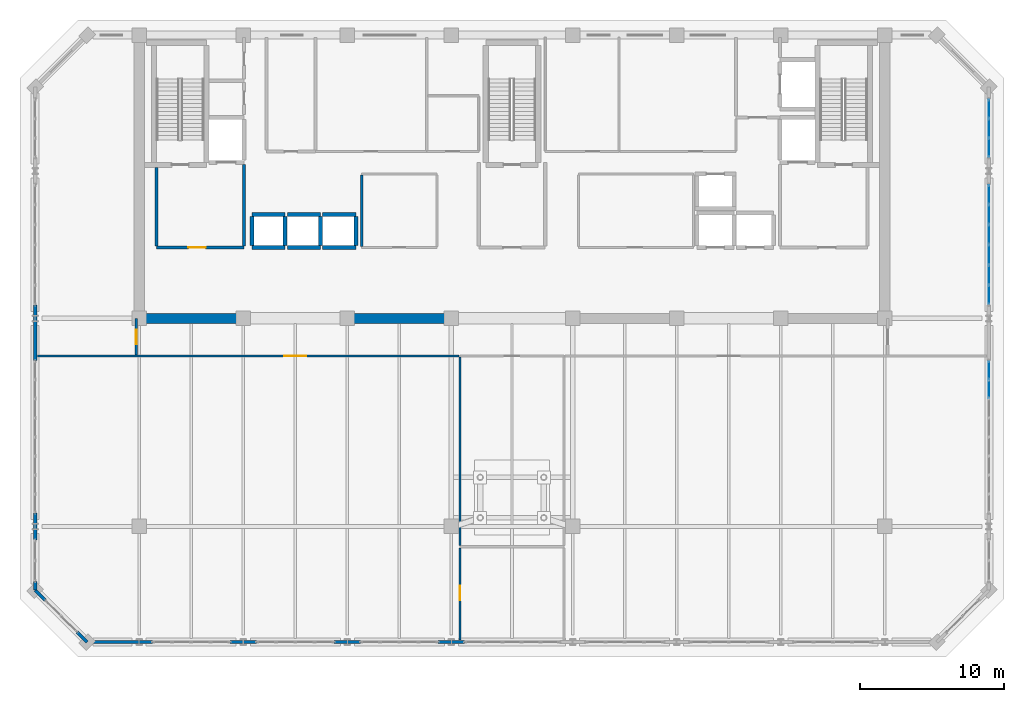
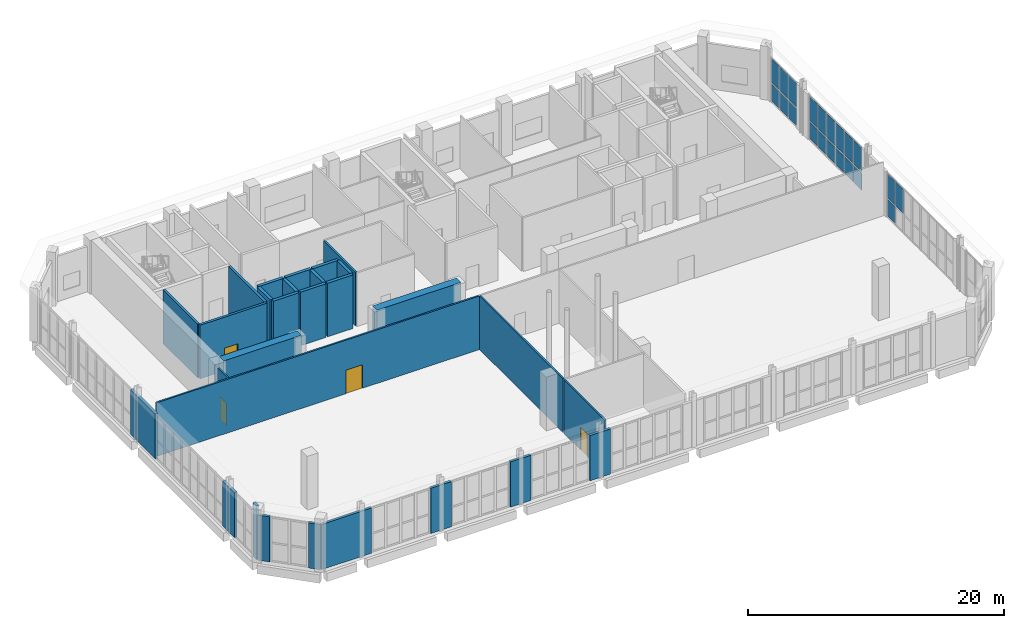
# One storey, part 19 of 26: 29 walls, 21 plates, 4 doors, 4 openings, 3 elements without a shape of their own.
"""IFC4 building model written with IfcOpenShell, lengths in metres."""

from ifc_helpers import new_model, si_unit, direction, frame, frame_2d, origin, origin_2d, place, context, subcontext, project, spatial, rectangle, extrude, material, layer, layer_set, type_object, element, fill, aggregate, save


model = new_model("IFC4")

# Units and contexts
model_context = context("Model", 3, precision=1e-05, world=origin(), true_north=direction((0.0, 1.0)))
body_context = subcontext(model_context, "Body", "Model", "MODEL_VIEW")
ifc_project = project(units=[si_unit("LENGTHUNIT", "METRE"), si_unit("AREAUNIT", "SQUARE_METRE"), si_unit("VOLUMEUNIT", "CUBIC_METRE"), si_unit("PLANEANGLEUNIT", "RADIAN"), si_unit("MASSUNIT", "GRAM", prefix="KILO")], contexts=[model_context])

# Site, building, storey
site_placement = place(None, origin())
site = spatial("IfcSite", under=ifc_project, at=site_placement, CompositionType="ELEMENT")
building_placement = place(site_placement, origin())
building = spatial("IfcBuilding", under=site, at=building_placement, Name="Kaelvorn Grand Hotel", CompositionType="ELEMENT")
storey_placement = place(building_placement, frame((0.0, 0.0, 294.699951171875)))
storey = spatial("IfcBuildingStorey", under=building, at=storey_placement, Name="L72", CompositionType="ELEMENT", Elevation=294.699951171875)

# Curtain wall, plates
ifc_material_1 = material(Name="Anodised Aluminium", Category="aluminium")
ifc_layer_1 = layer(ifc_material_1, 0.239990234375)
ifc_layer_set_1 = layer_set([ifc_layer_1], Name="Anodised Aluminium")
curtain_wall_type = type_object("IfcCurtainWallType", Name="CW-SYS5", PredefinedType="NOTDEFINED", material=ifc_layer_set_1)
curtain_wall_1_placement = place(storey_placement, origin())
curtain_wall_1 = element("IfcCurtainWall", 1, at=curtain_wall_1_placement, inside=storey, type_object=curtain_wall_type, Name="L72 Unitised Curtain Wall CW5 (CW-L72-E-02)", PredefinedType="NOTDEFINED")
ifc_material_2 = material(Name="Laminated Low-E Glass", Category="glass")
ifc_layer_2 = layer(ifc_material_2, 0.0380859375)
ifc_layer_set_2 = layer_set([ifc_layer_2], Name="Laminated Low-E Glass")
plate_type = type_object("IfcPlateType", Name="CW-SYS5-PAN", PredefinedType="CURTAIN_PANEL", material=ifc_layer_set_2)
plate_1_placement = place(storey_placement, frame((75.0, 24.5, 1.8896484375), z_axis=(0.0, 0.0, 1.0), x_axis=(0.0, 1.0, 0.0)))
plate_1 = element("IfcPlate", 2, at=plate_1_placement, type_object=plate_type, Name="CW5 panel 7.2", PredefinedType="CURTAIN_PANEL", context=body_context, shape_type="SweptSolid", body=[
    extrude(rectangle(XDim=1.239990234375, YDim=0.0380859375, at=origin_2d()), origin(), (0.0, 0.0, 1.0), 2.280517578125),
])
plate_2_placement = place(storey_placement, frame((75.0, 25.800048828125, 0.150146484375), z_axis=(0.0, 0.0, 1.0), x_axis=(0.0, 1.0, 0.0)))
plate_2 = element("IfcPlate", 3, at=plate_2_placement, type_object=plate_type, Name="CW5 panel 8.1", PredefinedType="CURTAIN_PANEL", context=body_context, shape_type="SweptSolid", body=[
    extrude(rectangle(XDim=1.199951171875, YDim=0.0380859375, at=origin_2d()), origin(), (0.0, 0.0, 1.0), 1.58935546875),
])
plate_3_placement = place(storey_placement, frame((75.0, 25.800048828125, 1.8896484375), z_axis=(0.0, 0.0, 1.0), x_axis=(0.0, 1.0, 0.0)))
plate_3 = element("IfcPlate", 4, at=plate_3_placement, type_object=plate_type, Name="CW5 panel 8.2", PredefinedType="CURTAIN_PANEL", context=body_context, shape_type="SweptSolid", body=[
    extrude(rectangle(XDim=1.199951171875, YDim=0.0380859375, at=origin_2d()), origin(), (0.0, 0.0, 1.0), 2.280517578125),
])
aggregate(curtain_wall_1, [plate_1, plate_2, plate_3])

curtain_wall_2_placement = place(storey_placement, origin())
curtain_wall_2 = element("IfcCurtainWall", 5, at=curtain_wall_2_placement, inside=storey, type_object=curtain_wall_type, Name="L72 Unitised Curtain Wall CW5 (CW-L72-E-03)", PredefinedType="NOTDEFINED")
plate_4_placement = place(storey_placement, frame((75.0, 31.03662109375, 0.150146484375), z_axis=(0.0, 0.0, 1.0), x_axis=(0.0, 1.0, 0.0)))
plate_4 = element("IfcPlate", 6, at=plate_4_placement, type_object=plate_type, Name="CW5 panel 1.1", PredefinedType="CURTAIN_PANEL", context=body_context, shape_type="SweptSolid", body=[
    extrude(rectangle(XDim=1.2734375, YDim=0.0380859375, at=origin_2d()), origin(), (0.0, 0.0, 1.0), 1.58935546875),
])
plate_5_placement = place(storey_placement, frame((75.0, 31.03662109375, 1.8896484375), z_axis=(0.0, 0.0, 1.0), x_axis=(0.0, 1.0, 0.0)))
plate_5 = element("IfcPlate", 7, at=plate_5_placement, type_object=plate_type, Name="CW5 panel 1.2", PredefinedType="CURTAIN_PANEL", context=body_context, shape_type="SweptSolid", body=[
    extrude(rectangle(XDim=1.2734375, YDim=0.0380859375, at=origin_2d()), origin(), (0.0, 0.0, 1.0), 2.280517578125),
])
plate_6_placement = place(storey_placement, frame((75.0, 32.409912109375, 0.150146484375), z_axis=(0.0, 0.0, 1.0), x_axis=(0.0, 1.0, 0.0)))
plate_6 = element("IfcPlate", 8, at=plate_6_placement, type_object=plate_type, Name="CW5 panel 2.1", PredefinedType="CURTAIN_PANEL", context=body_context, shape_type="SweptSolid", body=[
    extrude(rectangle(XDim=1.313232421875, YDim=0.0380859375, at=origin_2d()), origin(), (0.0, 0.0, 1.0), 1.58935546875),
])
plate_7_placement = place(storey_placement, frame((75.0, 32.409912109375, 1.8896484375), z_axis=(0.0, 0.0, 1.0), x_axis=(0.0, 1.0, 0.0)))
plate_7 = element("IfcPlate", 9, at=plate_7_placement, type_object=plate_type, Name="CW5 panel 2.2", PredefinedType="CURTAIN_PANEL", context=body_context, shape_type="SweptSolid", body=[
    extrude(rectangle(XDim=1.313232421875, YDim=0.0380859375, at=origin_2d()), origin(), (0.0, 0.0, 1.0), 2.280517578125),
])
plate_8_placement = place(storey_placement, frame((75.0, 33.80322265625, 0.150146484375), z_axis=(0.0, 0.0, 1.0), x_axis=(0.0, 1.0, 0.0)))
plate_8 = element("IfcPlate", 10, at=plate_8_placement, type_object=plate_type, Name="CW5 panel 3.1", PredefinedType="CURTAIN_PANEL", context=body_context, shape_type="SweptSolid", body=[
    extrude(rectangle(XDim=1.313232421875, YDim=0.0380859375, at=origin_2d()), origin(), (0.0, 0.0, 1.0), 1.58935546875),
])
plate_9_placement = place(storey_placement, frame((75.0, 33.80322265625, 1.8896484375), z_axis=(0.0, 0.0, 1.0), x_axis=(0.0, 1.0, 0.0)))
plate_9 = element("IfcPlate", 11, at=plate_9_placement, type_object=plate_type, Name="CW5 panel 3.2", PredefinedType="CURTAIN_PANEL", context=body_context, shape_type="SweptSolid", body=[
    extrude(rectangle(XDim=1.313232421875, YDim=0.0380859375, at=origin_2d()), origin(), (0.0, 0.0, 1.0), 2.280517578125),
])
plate_10_placement = place(storey_placement, frame((75.0, 35.19677734375, 0.150146484375), z_axis=(0.0, 0.0, 1.0), x_axis=(0.0, 1.0, 0.0)))
plate_10 = element("IfcPlate", 12, at=plate_10_placement, type_object=plate_type, Name="CW5 panel 4.1", PredefinedType="CURTAIN_PANEL", context=body_context, shape_type="SweptSolid", body=[
    extrude(rectangle(XDim=1.313232421875, YDim=0.0380859375, at=origin_2d()), origin(), (0.0, 0.0, 1.0), 1.58935546875),
])
plate_11_placement = place(storey_placement, frame((75.0, 35.19677734375, 1.8896484375), z_axis=(0.0, 0.0, 1.0), x_axis=(0.0, 1.0, 0.0)))
plate_11 = element("IfcPlate", 13, at=plate_11_placement, type_object=plate_type, Name="CW5 panel 4.2", PredefinedType="CURTAIN_PANEL", context=body_context, shape_type="SweptSolid", body=[
    extrude(rectangle(XDim=1.313232421875, YDim=0.0380859375, at=origin_2d()), origin(), (0.0, 0.0, 1.0), 2.280517578125),
])
plate_12_placement = place(storey_placement, frame((75.0, 36.590087890625, 0.150146484375), z_axis=(0.0, 0.0, 1.0), x_axis=(0.0, 1.0, 0.0)))
plate_12 = element("IfcPlate", 14, at=plate_12_placement, type_object=plate_type, Name="CW5 panel 5.1", PredefinedType="CURTAIN_PANEL", context=body_context, shape_type="SweptSolid", body=[
    extrude(rectangle(XDim=1.313232421875, YDim=0.0380859375, at=origin_2d()), origin(), (0.0, 0.0, 1.0), 1.58935546875),
])
plate_13_placement = place(storey_placement, frame((75.0, 36.590087890625, 1.8896484375), z_axis=(0.0, 0.0, 1.0), x_axis=(0.0, 1.0, 0.0)))
plate_13 = element("IfcPlate", 15, at=plate_13_placement, type_object=plate_type, Name="CW5 panel 5.2", PredefinedType="CURTAIN_PANEL", context=body_context, shape_type="SweptSolid", body=[
    extrude(rectangle(XDim=1.313232421875, YDim=0.0380859375, at=origin_2d()), origin(), (0.0, 0.0, 1.0), 2.280517578125),
])
plate_14_placement = place(storey_placement, frame((75.0, 37.96337890625, 0.150146484375), z_axis=(0.0, 0.0, 1.0), x_axis=(0.0, 1.0, 0.0)))
plate_14 = element("IfcPlate", 16, at=plate_14_placement, type_object=plate_type, Name="CW5 panel 6.1", PredefinedType="CURTAIN_PANEL", context=body_context, shape_type="SweptSolid", body=[
    extrude(rectangle(XDim=1.2734375, YDim=0.0380859375, at=origin_2d()), origin(), (0.0, 0.0, 1.0), 1.58935546875),
])
plate_15_placement = place(storey_placement, frame((75.0, 37.96337890625, 1.8896484375), z_axis=(0.0, 0.0, 1.0), x_axis=(0.0, 1.0, 0.0)))
plate_15 = element("IfcPlate", 17, at=plate_15_placement, type_object=plate_type, Name="CW5 panel 6.2", PredefinedType="CURTAIN_PANEL", context=body_context, shape_type="SweptSolid", body=[
    extrude(rectangle(XDim=1.2734375, YDim=0.0380859375, at=origin_2d()), origin(), (0.0, 0.0, 1.0), 2.280517578125),
])
aggregate(curtain_wall_2, [plate_4, plate_5, plate_6, plate_7, plate_8, plate_9, plate_10, plate_11, plate_12, plate_13, plate_14, plate_15])

curtain_wall_3_placement = place(storey_placement, origin())
curtain_wall_3 = element("IfcCurtainWall", 18, at=curtain_wall_3_placement, inside=storey, type_object=curtain_wall_type, Name="L72 Unitised Curtain Wall CW5 (CW-L72-E-04)", PredefinedType="NOTDEFINED")
plate_16_placement = place(storey_placement, frame((75.0, 41.219970703125, 0.150146484375), z_axis=(0.0, 0.0, 1.0), x_axis=(0.0, 1.0, 0.0)))
plate_16 = element("IfcPlate", 19, at=plate_16_placement, type_object=plate_type, Name="CW5 panel 1.1", PredefinedType="CURTAIN_PANEL", context=body_context, shape_type="SweptSolid", body=[
    extrude(rectangle(XDim=1.239990234375, YDim=0.0380859375, at=origin_2d()), origin(), (0.0, 0.0, 1.0), 1.58935546875),
])
plate_17_placement = place(storey_placement, frame((75.0, 41.219970703125, 1.8896484375), z_axis=(0.0, 0.0, 1.0), x_axis=(0.0, 1.0, 0.0)))
plate_17 = element("IfcPlate", 20, at=plate_17_placement, type_object=plate_type, Name="CW5 panel 1.2", PredefinedType="CURTAIN_PANEL", context=body_context, shape_type="SweptSolid", body=[
    extrude(rectangle(XDim=1.239990234375, YDim=0.0380859375, at=origin_2d()), origin(), (0.0, 0.0, 1.0), 2.280517578125),
])
plate_18_placement = place(storey_placement, frame((75.0, 42.56005859375, 0.150146484375), z_axis=(0.0, 0.0, 1.0), x_axis=(0.0, 1.0, 0.0)))
plate_18 = element("IfcPlate", 21, at=plate_18_placement, type_object=plate_type, Name="CW5 panel 2.1", PredefinedType="CURTAIN_PANEL", context=body_context, shape_type="SweptSolid", body=[
    extrude(rectangle(XDim=1.280029296875, YDim=0.0380859375, at=origin_2d()), origin(), (0.0, 0.0, 1.0), 1.58935546875),
])
plate_19_placement = place(storey_placement, frame((75.0, 42.56005859375, 1.8896484375), z_axis=(0.0, 0.0, 1.0), x_axis=(0.0, 1.0, 0.0)))
plate_19 = element("IfcPlate", 22, at=plate_19_placement, type_object=plate_type, Name="CW5 panel 2.2", PredefinedType="CURTAIN_PANEL", context=body_context, shape_type="SweptSolid", body=[
    extrude(rectangle(XDim=1.280029296875, YDim=0.0380859375, at=origin_2d()), origin(), (0.0, 0.0, 1.0), 2.280517578125),
])
plate_20_placement = place(storey_placement, frame((75.0, 43.89990234375, 0.150146484375), z_axis=(0.0, 0.0, 1.0), x_axis=(0.0, 1.0, 0.0)))
plate_20 = element("IfcPlate", 23, at=plate_20_placement, type_object=plate_type, Name="CW5 panel 3.1", PredefinedType="CURTAIN_PANEL", context=body_context, shape_type="SweptSolid", body=[
    extrude(rectangle(XDim=1.239990234375, YDim=0.0380859375, at=origin_2d()), origin(), (0.0, 0.0, 1.0), 1.58935546875),
])
plate_21_placement = place(storey_placement, frame((75.0, 43.89990234375, 1.8896484375), z_axis=(0.0, 0.0, 1.0), x_axis=(0.0, 1.0, 0.0)))
plate_21 = element("IfcPlate", 24, at=plate_21_placement, type_object=plate_type, Name="CW5 panel 3.2", PredefinedType="CURTAIN_PANEL", context=body_context, shape_type="SweptSolid", body=[
    extrude(rectangle(XDim=1.239990234375, YDim=0.0380859375, at=origin_2d()), origin(), (0.0, 0.0, 1.0), 2.280517578125),
])
aggregate(curtain_wall_3, [plate_16, plate_17, plate_18, plate_19, plate_20, plate_21])

# Walls
ifc_material_3 = material(Name="Concrete C50/60", Category="concrete")
ifc_layer_3 = layer(ifc_material_3, 0.699951171875)
ifc_layer_set_3 = layer_set([ifc_layer_3], Name="Concrete C50/60")
wall_type_1 = type_object("IfcWallType", Name="WL-CORE-700-C50", PredefinedType="SHEAR", material=ifc_layer_set_3)
wall_1_placement = place(storey_placement, frame((16.554931640625, 29.39990234375, 0.0), z_axis=(0.0, 0.0, 1.0), x_axis=(1.0, 0.0, 0.0)))
element("IfcWall", 25, at=wall_1_placement, inside=storey, type_object=wall_type_1, Name="L72 Rear-Core Coupled Shear Pier S1", PredefinedType="SHEAR", context=body_context, shape_type="SweptSolid", body=[
    extrude(rectangle(XDim=7.045166015625, YDim=0.699951171875, at=frame_2d((3.5224609375, 0.0))), origin(), (0.0, 0.0, 1.0), 5.1201171875),
])
wall_2_placement = place(storey_placement, frame((30.39990234375, 29.39990234375, 0.0), z_axis=(0.0, 0.0, 1.0), x_axis=(1.0, 0.0, 0.0)))
element("IfcWall", 26, at=wall_2_placement, inside=storey, type_object=wall_type_1, Name="L72 Rear-Core Coupled Shear Pier S2", PredefinedType="SHEAR", context=body_context, shape_type="SweptSolid", body=[
    extrude(rectangle(XDim=7.60009765625, YDim=0.699951171875, at=frame_2d((3.800048828125, 0.0))), origin(), (0.0, 0.0, 1.0), 5.1201171875),
])
ifc_material_4 = material(Name="Concrete C40/50", Category="concrete")
ifc_layer_4 = layer(ifc_material_4, 0.219970703125)
ifc_layer_set_4 = layer_set([ifc_layer_4], Name="Concrete C40/50")
wall_type_2 = type_object("IfcWallType", Name="WL-EXT-220-C40", PredefinedType="SOLIDWALL", material=ifc_layer_set_4)
wall_3_placement = place(storey_placement, frame((12.60009765625, 7.0, 0.0), z_axis=(0.0, 0.0, 1.0), x_axis=(1.0, 0.0, 0.0)))
element("IfcWall", 27, at=wall_3_placement, inside=storey, type_object=wall_type_2, Name="L72 Exterior Architectural Concrete Wall 01 Pier 1", PredefinedType="SOLIDWALL", context=body_context, shape_type="SweptSolid", body=[
    extrude(rectangle(XDim=4.52490234375, YDim=0.219970703125, at=frame_2d((2.262451171875, 0.0))), origin(), (0.0, 0.0, 1.0), 4.320068359375),
])
for number, where, z_axis, x_axis, name in (
    (28, (22.47509765625, 7.0, 0.0), (0.0, 0.0, 1.0), (1.0, 0.0, 0.0), "L72 Exterior Architectural Concrete Wall 01 Pier 2"),
    (29, (29.675048828125, 7.0, 0.0), (0.0, 0.0, 1.0), (1.0, 0.0, 0.0), "L72 Exterior Architectural Concrete Wall 01 Pier 3"),
):
    element("IfcWall", number, at=place(storey_placement, frame(where, z_axis=z_axis, x_axis=x_axis)), inside=storey, type_object=wall_type_2, Name=name, PredefinedType="SOLIDWALL", context=body_context, shape_type="SweptSolid", body=[
        extrude(rectangle(XDim=1.849853515625, YDim=0.219970703125, at=frame_2d((0.9248046875, 0.0))), origin(), (0.0, 0.0, 1.0), 4.320068359375),
    ])
wall_4_placement = place(storey_placement, frame((36.875, 7.0, 0.0), z_axis=(0.0, 0.0, 1.0), x_axis=(1.0, 0.0, 0.0)))
element("IfcWall", 30, at=wall_4_placement, inside=storey, type_object=wall_type_2, Name="L72 Exterior Architectural Concrete Wall 01 Pier 4", PredefinedType="SOLIDWALL", context=body_context, shape_type="SweptSolid", body=[
    extrude(rectangle(XDim=1.85009765625, YDim=0.219970703125, at=frame_2d((0.925048828125, 0.0))), origin(), (0.0, 0.0, 1.0), 4.320068359375),
])
wall_5_placement = place(storey_placement, frame((9.0, 30.324951171875, 0.0), z_axis=(0.0, 0.0, 1.0), x_axis=(0.0, -1.0, 0.0)))
element("IfcWall", 31, at=wall_5_placement, inside=storey, type_object=wall_type_2, Name="L72 Exterior Architectural Concrete Wall 07 Pier 3", PredefinedType="SOLIDWALL", context=body_context, shape_type="SweptSolid", body=[
    extrude(rectangle(XDim=3.849853515625, YDim=0.219970703125, at=frame_2d((1.9248046875, 0.0))), origin(), (0.0, 0.0, 1.0), 4.320068359375),
])
wall_6_placement = place(storey_placement, frame((9.0, 15.925048828125, 0.0), z_axis=(0.0, 0.0, 1.0), x_axis=(0.0, -1.0, 0.0)))
element("IfcWall", 32, at=wall_6_placement, inside=storey, type_object=wall_type_2, Name="L72 Exterior Architectural Concrete Wall 07 Pier 4", PredefinedType="SOLIDWALL", context=body_context, shape_type="SweptSolid", body=[
    extrude(rectangle(XDim=1.85009765625, YDim=0.219970703125, at=frame_2d((0.925048828125, 0.0))), origin(), (0.0, 0.0, 1.0), 4.320068359375),
])
wall_7_placement = place(storey_placement, frame((9.0, 11.205078125, 0.0), z_axis=(0.0, 0.0, 1.0), x_axis=(0.0, -1.0, 0.0)))
element("IfcWall", 33, at=wall_7_placement, inside=storey, type_object=wall_type_2, Name="L72 Exterior Architectural Concrete Wall 07 Pier 5", PredefinedType="SOLIDWALL", context=body_context, shape_type="SweptSolid", body=[
    extrude(rectangle(XDim=0.60498046875, YDim=0.219970703125, at=frame_2d((0.302490234375, 0.0))), origin(), (0.0, 0.0, 1.0), 5.1201171875),
])
for number, where, z_axis, x_axis, name in (
    (34, (9.0, 10.60009765625, 0.0), (0.0, 0.0, 1.0), (0.707106781187, -0.707106781187, 0.0), "L72 Exterior Architectural Concrete Wall 08 Pier 1"),
    (35, (11.903564453125, 7.696533203125, 0.0), (0.0, 0.0, 1.0), (0.707106781187, -0.707106781187, 0.0), "L72 Exterior Architectural Concrete Wall 08 Pier 2"),
):
    element("IfcWall", number, at=place(storey_placement, frame(where, z_axis=z_axis, x_axis=x_axis)), inside=storey, type_object=wall_type_2, Name=name, PredefinedType="SOLIDWALL", context=body_context, shape_type="SweptSolid", body=[
        extrude(rectangle(XDim=0.985107421875, YDim=0.219970703125, at=frame_2d((0.49267578125, 0.0))), origin(), (0.0, 0.0, 1.0), 4.320068359375),
    ])
ifc_material_5 = material(Name="Acoustic Gypsum & Stud Partition")
ifc_layer_5 = layer(ifc_material_5, 0.14990234375)
ifc_layer_set_5 = layer_set([ifc_layer_5], Name="Acoustic Gypsum & Stud Partition")
wall_type_3 = type_object("IfcWallType", Name="WL-PART-150-EI60", PredefinedType="PARTITIONING", material=ifc_layer_set_5)
wall_8_placement = place(storey_placement, frame((31.60009765625, 34.3798828125, 0.0), z_axis=(0.0, 0.0, 1.0), x_axis=(0.0, 1.0, 0.0)))
element("IfcWall", 36, at=wall_8_placement, inside=storey, type_object=wall_type_3, Name="L72 Core Telecoms & BMS Server Room W Partition", PredefinedType="PARTITIONING", context=body_context, shape_type="SweptSolid", body=[
    extrude(rectangle(XDim=4.940185546875, YDim=0.14990234375, at=frame_2d((2.47021484375, 0.0))), origin(), (0.0, 0.0, 1.0), 5.1201171875),
])
wall_9_placement = place(storey_placement, frame((38.39990234375, 13.679931640625, 0.0), z_axis=(0.0, 0.0, 1.0), x_axis=(0.0, 1.0, 0.0)))
element("IfcWall", 37, at=wall_9_placement, inside=storey, type_object=wall_type_3, Name="L72 Tuned Mass Damper Pendulum Chamber W Partition", PredefinedType="PARTITIONING", context=body_context, shape_type="SweptSolid", body=[
    extrude(rectangle(XDim=13.0400390625, YDim=0.14990234375, at=frame_2d((6.52001953125, 0.0))), origin(), (0.0, 0.0, 1.0), 5.1201171875),
])

# Wall, opening, door
wall_10_placement = place(storey_placement, frame((9.14990234375, 26.800048828125, 0.0), z_axis=(0.0, 0.0, 1.0), x_axis=(1.0, 0.0, 0.0)))
wall_10 = element("IfcWall", 38, at=wall_10_placement, inside=storey, type_object=wall_type_3, Name="L72 TMD Viewing Gallery N Partition", PredefinedType="PARTITIONING", context=body_context, shape_type="SweptSolid", body=[
    extrude(rectangle(XDim=29.170166015625, YDim=0.14990234375, at=frame_2d((14.5849609375, 0.0))), origin(), (0.0, 0.0, 1.0), 5.1201171875),
])
opening_1_placement = place(wall_10_placement, frame((17.10009765625, 0.0, 0.0)))
opening_1 = element("IfcOpeningElement", 39, at=opening_1_placement, cuts=wall_10, Name="Opening DI5", PredefinedType="OPENING", context=body_context, shape_type="SweptSolid", body=[
    extrude(rectangle(XDim=1.5, YDim=2.25, at=frame_2d((0.75, 1.125))), frame((0.0, 0.0849609375, 0.0), z_axis=(0.0, -1.0, 0.0), x_axis=(1.0, 0.0, 0.0)), (0.0, 0.0, 1.0), 0.169921875),
])
ifc_material_6 = material(Name="Timber Veneer Fire Leaf", Category="wood")
door_type_1 = type_object("IfcDoorType", Name="DR-INT-SALON-1500x2250", OperationType="DOUBLE_DOOR_SINGLE_SWING", PredefinedType="DOOR", material=ifc_material_6)
door_1_placement = place(opening_1_placement, origin())
door_1 = element("IfcDoor", 40, at=door_1_placement, inside=storey, type_object=door_type_1, Name="L72 TMD Viewing Gallery Door", OperationType="DOUBLE_DOOR_SINGLE_SWING", OverallHeight=2.25, OverallWidth=1.5, PredefinedType="DOOR", context=body_context, shape_type="SweptSolid", body=[
    extrude(rectangle(XDim=1.5, YDim=2.25, at=frame_2d((0.75, 1.125))), frame((0.0, 0.02490234375, 0.0), z_axis=(0.0, -1.0, 0.0), x_axis=(1.0, 0.0, 0.0)), (0.0, 0.0, 1.0), 0.050048828125),
])
fill(opening_1, door_1)

wall_11_placement = place(storey_placement, frame((38.39990234375, 7.14990234375, 0.0), z_axis=(0.0, 0.0, 1.0), x_axis=(0.0, 1.0, 0.0)))
wall_11 = element("IfcWall", 41, at=wall_11_placement, inside=storey, type_object=wall_type_3, Name="L72 TMD Viewing Gallery E Partition", PredefinedType="PARTITIONING", context=body_context, shape_type="SweptSolid", body=[
    extrude(rectangle(XDim=6.3701171875, YDim=0.14990234375, at=frame_2d((3.18505859375, 0.0))), origin(), (0.0, 0.0, 1.0), 5.1201171875),
])
opening_2_placement = place(wall_11_placement, frame((2.75, 0.0, 0.0)))
opening_2 = element("IfcOpeningElement", 42, at=opening_2_placement, cuts=wall_11, Name="Opening DI3", PredefinedType="OPENING", context=body_context, shape_type="SweptSolid", body=[
    extrude(rectangle(XDim=1.0, YDim=2.14990234375, at=frame_2d((0.5, 1.074951171875))), frame((0.0, 0.0849609375, 0.0), z_axis=(0.0, -1.0, 0.0), x_axis=(1.0, 0.0, 0.0)), (0.0, 0.0, 1.0), 0.169921875),
])
door_type_2 = type_object("IfcDoorType", Name="DR-INT-GUEST-1000x2150", OperationType="NOTDEFINED", PredefinedType="DOOR", material=ifc_material_6)
door_2_placement = place(opening_2_placement, origin())
door_2 = element("IfcDoor", 43, at=door_2_placement, inside=storey, type_object=door_type_2, Name="L72 South Pendulum Optics Gallery Door", OperationType="SINGLE_SWING_LEFT", OverallHeight=2.14990234375, OverallWidth=1.0, PredefinedType="DOOR", context=body_context, shape_type="SweptSolid", body=[
    extrude(rectangle(XDim=1.0, YDim=2.14990234375, at=frame_2d((0.5, 1.074951171875))), frame((0.0, 0.02490234375, 0.0), z_axis=(0.0, -1.0, 0.0), x_axis=(1.0, 0.0, 0.0)), (0.0, 0.0, 1.0), 0.050048828125),
])
fill(opening_2, door_2)

wall_12_placement = place(storey_placement, frame((16.0, 26.8798828125, 0.0), z_axis=(0.0, 0.0, 1.0), x_axis=(0.0, 1.0, 0.0)))
wall_12 = element("IfcWall", 44, at=wall_12_placement, inside=storey, type_object=wall_type_3, Name="L72 Wind Tunnel Model Archive Office E Partition", PredefinedType="PARTITIONING", context=body_context, shape_type="SweptSolid", body=[
    extrude(rectangle(XDim=2.510009765625, YDim=0.14990234375, at=frame_2d((1.2548828125, 0.0))), origin(), (0.0, 0.0, 1.0), 4.760009765625),
])
opening_3_placement = place(wall_12_placement, frame((0.719970703125, 0.0, 0.0)))
opening_3 = element("IfcOpeningElement", 45, at=opening_3_placement, cuts=wall_12, Name="Opening DI3", PredefinedType="OPENING", context=body_context, shape_type="SweptSolid", body=[
    extrude(rectangle(XDim=1.0, YDim=2.14990234375, at=frame_2d((0.5, 1.074951171875))), frame((0.0, 0.0849609375, 0.0), z_axis=(0.0, -1.0, 0.0), x_axis=(1.0, 0.0, 0.0)), (0.0, 0.0, 1.0), 0.169921875),
])
door_3_placement = place(opening_3_placement, origin())
door_3 = element("IfcDoor", 46, at=door_3_placement, inside=storey, type_object=door_type_2, Name="L72 Wind Tunnel Model Archive Office Door", OperationType="SINGLE_SWING_RIGHT", OverallHeight=2.14990234375, OverallWidth=1.0, PredefinedType="DOOR", context=body_context, shape_type="SweptSolid", body=[
    extrude(rectangle(XDim=1.0, YDim=2.14990234375, at=frame_2d((0.5, 1.074951171875))), frame((0.0, 0.02490234375, 0.0), z_axis=(0.0, -1.0, 0.0), x_axis=(1.0, 0.0, 0.0)), (0.0, 0.0, 1.0), 0.050048828125),
])
fill(opening_3, door_3)

ifc_layer_6 = layer(ifc_material_4, 0.219970703125)
ifc_layer_set_6 = layer_set([ifc_layer_6], Name="Concrete C40/50")
wall_type_4 = type_object("IfcWallType", Name="WL-PART-220-EI120", PredefinedType="PARTITIONING", material=ifc_layer_set_6)
wall_13_placement = place(storey_placement, frame((17.39990234375, 34.300048828125, 0.0), z_axis=(0.0, 0.0, 1.0), x_axis=(1.0, 0.0, 0.0)))
wall_13 = element("IfcWall", 47, at=wall_13_placement, inside=storey, type_object=wall_type_4, Name="L72 Firefighting Lift Lobby 1 S Partition", PredefinedType="PARTITIONING", context=body_context, shape_type="SweptSolid", body=[
    extrude(rectangle(XDim=6.050048828125, YDim=0.219970703125, at=frame_2d((3.02490234375, 0.0))), origin(), (0.0, 0.0, 1.0), 5.1201171875),
])
opening_4_placement = place(wall_13_placement, frame((2.199951171875, 0.0, 0.0)))
opening_4 = element("IfcOpeningElement", 48, at=opening_4_placement, cuts=wall_13, Name="Opening DI2", PredefinedType="OPENING", context=body_context, shape_type="SweptSolid", body=[
    extrude(rectangle(XDim=1.199951171875, YDim=2.14990234375, at=frame_2d((0.60009765625, 1.074951171875))), frame((0.0, 0.1201171875, 0.0), z_axis=(0.0, -1.0, 0.0), x_axis=(1.0, 0.0, 0.0)), (0.0, 0.0, 1.0), 0.239990234375),
])
door_type_3 = type_object("IfcDoorType", Name="DR-INT-FFLOB-1200x2150", OperationType="NOTDEFINED", PredefinedType="DOOR", material=ifc_material_6)
door_4_placement = place(opening_4_placement, origin())
door_4 = element("IfcDoor", 49, at=door_4_placement, inside=storey, type_object=door_type_3, Name="L72 Firefighting Lift Lobby 1 Door", OperationType="SINGLE_SWING_LEFT", OverallHeight=2.14990234375, OverallWidth=1.199951171875, PredefinedType="DOOR", context=body_context, shape_type="SweptSolid", body=[
    extrude(rectangle(XDim=1.199951171875, YDim=2.14990234375, at=frame_2d((0.60009765625, 1.074951171875))), frame((0.0, 0.02490234375, 0.0), z_axis=(0.0, -1.0, 0.0), x_axis=(1.0, 0.0, 0.0)), (0.0, 0.0, 1.0), 0.050048828125),
])
fill(opening_4, door_4)

# Walls
wall_14_placement = place(storey_placement, frame((17.39990234375, 34.4150390625, 0.0), z_axis=(0.0, 0.0, 1.0), x_axis=(0.0, 1.0, 0.0)))
element("IfcWall", 50, at=wall_14_placement, inside=storey, type_object=wall_type_4, Name="L72 Firefighting Lift Lobby 1 W Partition", PredefinedType="PARTITIONING", context=body_context, shape_type="SweptSolid", body=[
    extrude(rectangle(XDim=5.429931640625, YDim=0.219970703125, at=frame_2d((2.71484375, 0.0))), origin(), (0.0, 0.0, 1.0), 5.1201171875),
])
wall_15_placement = place(storey_placement, frame((23.449951171875, 34.4150390625, 0.0), z_axis=(0.0, 0.0, 1.0), x_axis=(0.0, 1.0, 0.0)))
element("IfcWall", 51, at=wall_15_placement, inside=storey, type_object=wall_type_4, Name="L72 Firefighting Lift Lobby 1 E Partition", PredefinedType="PARTITIONING", context=body_context, shape_type="SweptSolid", body=[
    extrude(rectangle(XDim=5.639892578125, YDim=0.219970703125, at=frame_2d((2.81982421875, 0.0))), origin(), (0.0, 0.0, 1.0), 5.1201171875),
])
ifc_layer_7 = layer(ifc_material_3, 0.280029296875)
ifc_layer_set_7 = layer_set([ifc_layer_7], Name="Concrete C50/60")
wall_type_5 = type_object("IfcWallType", Name="WL-SHAFT-280-C50", PredefinedType="SHEAR", material=ifc_layer_set_7)
for number, where, z_axis, x_axis, name in (
    (52, (24.0, 34.300048828125, 0.0), (0.0, 0.0, 1.0), (1.0, 0.0, 0.0), "L72 Lift PL-H1 Shaft South Wall"),
    (53, (24.0, 36.60009765625, 0.0), (0.0, 0.0, 1.0), (1.0, 0.0, 0.0), "L72 Lift PL-H1 Shaft North Wall"),
):
    element("IfcWall", number, at=place(storey_placement, frame(where, z_axis=z_axis, x_axis=x_axis)), inside=storey, type_object=wall_type_5, Name=name, PredefinedType="SHEAR", context=body_context, shape_type="SweptSolid", body=[
        extrude(rectangle(XDim=2.300048828125, YDim=0.280029296875, at=frame_2d((1.14990234375, 0.0))), origin(), (0.0, 0.0, 1.0), 5.1201171875),
    ])
for number, where, z_axis, x_axis, name in (
    (54, (24.0, 34.445068359375, 0.0), (0.0, 0.0, 1.0), (0.0, 1.0, 0.0), "L72 Lift PL-H1 Shaft West Wall"),
    (55, (26.300048828125, 34.445068359375, 0.0), (0.0, 0.0, 1.0), (0.0, 1.0, 0.0), "L72 Lift PL-H1 Shaft East Wall"),
):
    element("IfcWall", number, at=place(storey_placement, frame(where, z_axis=z_axis, x_axis=x_axis)), inside=storey, type_object=wall_type_5, Name=name, PredefinedType="SHEAR", context=body_context, shape_type="SweptSolid", body=[
        extrude(rectangle(XDim=2.010009765625, YDim=0.280029296875, at=frame_2d((1.0048828125, 0.0))), origin(), (0.0, 0.0, 1.0), 5.1201171875),
    ])
for number, where, z_axis, x_axis, name in (
    (56, (26.449951171875, 34.300048828125, 0.0), (0.0, 0.0, 1.0), (1.0, 0.0, 0.0), "L72 Lift PL-H2 Shaft South Wall"),
    (57, (26.449951171875, 36.60009765625, 0.0), (0.0, 0.0, 1.0), (1.0, 0.0, 0.0), "L72 Lift PL-H2 Shaft North Wall"),
):
    element("IfcWall", number, at=place(storey_placement, frame(where, z_axis=z_axis, x_axis=x_axis)), inside=storey, type_object=wall_type_5, Name=name, PredefinedType="SHEAR", context=body_context, shape_type="SweptSolid", body=[
        extrude(rectangle(XDim=2.300048828125, YDim=0.280029296875, at=frame_2d((1.14990234375, 0.0))), origin(), (0.0, 0.0, 1.0), 5.1201171875),
    ])
wall_16_placement = place(storey_placement, frame((28.75, 34.445068359375, 0.0), z_axis=(0.0, 0.0, 1.0), x_axis=(0.0, 1.0, 0.0)))
element("IfcWall", 58, at=wall_16_placement, inside=storey, type_object=wall_type_5, Name="L72 Lift PL-H2 Shaft East Wall", PredefinedType="SHEAR", context=body_context, shape_type="SweptSolid", body=[
    extrude(rectangle(XDim=2.010009765625, YDim=0.280029296875, at=frame_2d((1.0048828125, 0.0))), origin(), (0.0, 0.0, 1.0), 5.1201171875),
])
for number, where, z_axis, x_axis, name in (
    (59, (28.89990234375, 34.300048828125, 0.0), (0.0, 0.0, 1.0), (1.0, 0.0, 0.0), "L72 Lift PL-H3 Shaft South Wall"),
    (60, (28.89990234375, 36.60009765625, 0.0), (0.0, 0.0, 1.0), (1.0, 0.0, 0.0), "L72 Lift PL-H3 Shaft North Wall"),
):
    element("IfcWall", number, at=place(storey_placement, frame(where, z_axis=z_axis, x_axis=x_axis)), inside=storey, type_object=wall_type_5, Name=name, PredefinedType="SHEAR", context=body_context, shape_type="SweptSolid", body=[
        extrude(rectangle(XDim=2.300048828125, YDim=0.280029296875, at=frame_2d((1.14990234375, 0.0))), origin(), (0.0, 0.0, 1.0), 5.1201171875),
    ])
wall_17_placement = place(storey_placement, frame((31.199951171875, 34.445068359375, 0.0), z_axis=(0.0, 0.0, 1.0), x_axis=(0.0, 1.0, 0.0)))
element("IfcWall", 61, at=wall_17_placement, inside=storey, type_object=wall_type_5, Name="L72 Lift PL-H3 Shaft East Wall", PredefinedType="SHEAR", context=body_context, shape_type="SweptSolid", body=[
    extrude(rectangle(XDim=2.010009765625, YDim=0.280029296875, at=frame_2d((1.0048828125, 0.0))), origin(), (0.0, 0.0, 1.0), 5.1201171875),
])

save(model, "model.ifc")
